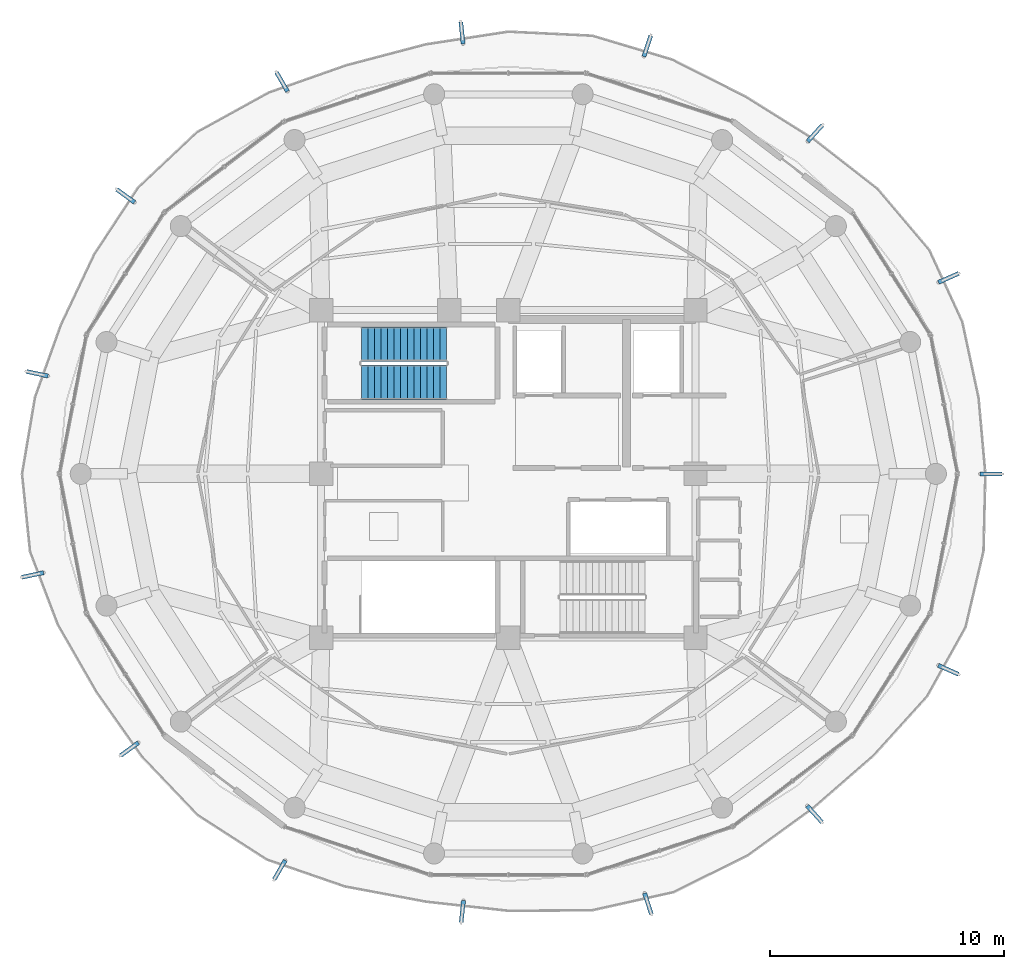
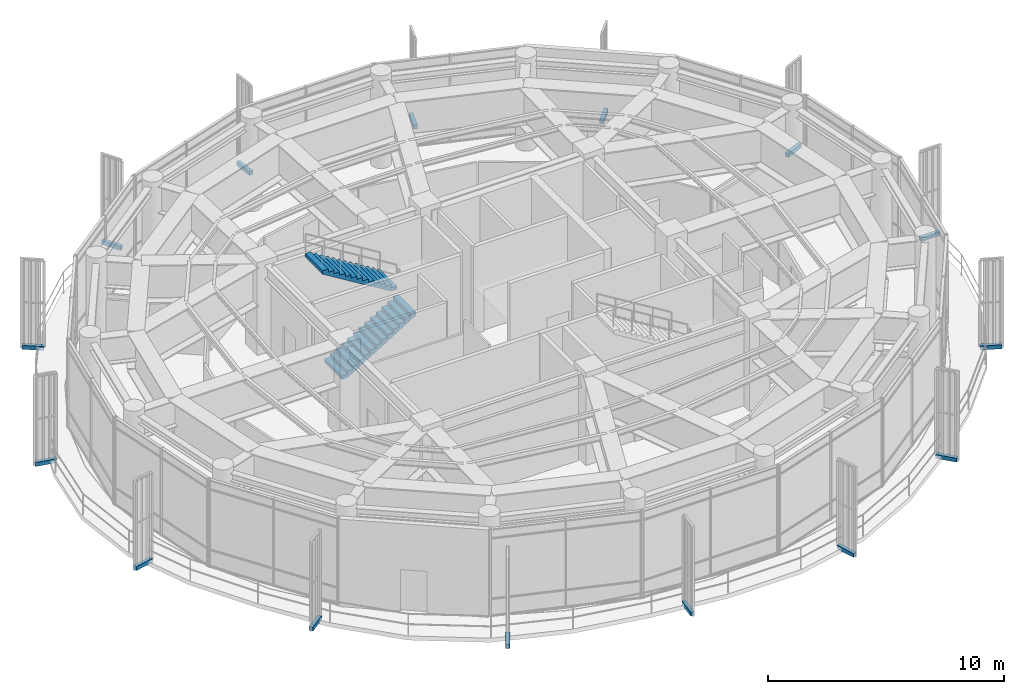
# One storey, part 20 of 23: 15 discrete accessories, 2 stair flights, 1 element without a shape of its own.
"""IFC4 building model written with IfcOpenShell, lengths in metres."""

from ifc_helpers import new_model, si_unit, direction, frame, origin, origin_2d, place, context, subcontext, project, spatial, polyline, rectangle, outline, extrude, source, transform, mapped, material, type_object, element, aggregate, save


model = new_model("IFC4")

# Units and contexts
model_context = context("Model", 3, precision=1e-05, world=origin(), true_north=direction((0.0, 1.0)))
body_context = subcontext(model_context, "Body", "Model", "MODEL_VIEW")
ifc_project = project(units=[si_unit("LENGTHUNIT", "METRE"), si_unit("AREAUNIT", "SQUARE_METRE"), si_unit("VOLUMEUNIT", "CUBIC_METRE"), si_unit("PLANEANGLEUNIT", "RADIAN"), si_unit("MASSUNIT", "GRAM", prefix="KILO")], contexts=[model_context])

# Site, building, storey
site_placement = place(None, origin())
site = spatial("IfcSite", under=ifc_project, at=site_placement, CompositionType="ELEMENT")
building_placement = place(site_placement, origin())
building = spatial("IfcBuilding", under=site, at=building_placement, Name="Kelanora Arch Commons", CompositionType="ELEMENT")
storey_placement = place(building_placement, frame((0.0, 0.0, 293.699951171875)))
storey = spatial("IfcBuildingStorey", under=building, at=storey_placement, Name="L75", CompositionType="ELEMENT", Elevation=293.699951171875)

# Stair, stair flights
ifc_material_1 = material(Name="Concrete C40/50", Category="concrete")
stair_type = type_object("IfcStairType", Name="STR-DL-480", PredefinedType="HALF_TURN_STAIR", material=ifc_material_1)
stair_placement = place(storey_placement, origin())
stair = element("IfcStair", 1, at=stair_placement, inside=storey, type_object=stair_type, Name="L75 ST-T1", PredefinedType="HALF_TURN_STAIR")
stair_flight_type = type_object("IfcStairFlightType", Name="FLT-DL-480", PredefinedType="STRAIGHT", material=ifc_material_1)
stair_flight_1_placement = place(storey_placement, frame((67.719970703125, 61.919921875, 0.0), z_axis=(0.0, 0.0, 1.0), x_axis=(1.0, 0.0, 0.0)))
stair_flight_1 = element("IfcStairFlight", 2, at=stair_flight_1_placement, type_object=stair_flight_type, Name="ST-T1 flight 1", NumberOfRisers=14, NumberOfTreads=13, PredefinedType="STRAIGHT", RiserHeight=0.171428571, TreadLength=0.28, context=body_context, shape_type="SweptSolid", body=[
    extrude(outline(polyline([(0.0, 0.0), (0.0, 0.17138671875), (0.280029296875, 0.17138671875), (0.280029296875, 0.3427734375), (0.56005859375, 0.3427734375), (0.56005859375, 0.514404296875), (0.840087890625, 0.514404296875), (0.840087890625, 0.685791015625), (1.1201171875, 0.685791015625), (1.1201171875, 0.857177734375), (1.39990234375, 0.857177734375), (1.39990234375, 1.028564453125), (1.679931640625, 1.028564453125), (1.679931640625, 1.199951171875), (1.9599609375, 1.199951171875), (1.9599609375, 1.371337890625), (2.239990234375, 1.371337890625), (2.239990234375, 1.54296875), (2.52001953125, 1.54296875), (2.52001953125, 1.71435546875), (2.800048828125, 1.71435546875), (2.800048828125, 1.8857421875), (3.080078125, 1.8857421875), (3.080078125, 2.05712890625), (3.360107421875, 2.05712890625), (3.360107421875, 2.228515625), (3.639892578125, 2.228515625), (3.639892578125, 2.39990234375), (3.639892578125, 2.052734375), (0.287109375, 0.0), (0.0, 0.0)])), frame((0.0, 0.739990234375, 0.0), z_axis=(0.0, -1.0, 0.0), x_axis=(1.0, 0.0, 0.0)), (0.0, 0.0, 1.0), 1.47998046875),
])
stair_flight_2_placement = place(storey_placement, frame((71.360107421875, 63.550048828125, 2.400146484375), z_axis=(0.0, 0.0, 1.0), x_axis=(-1.0, 0.0, 0.0)))
stair_flight_2 = element("IfcStairFlight", 3, at=stair_flight_2_placement, type_object=stair_flight_type, Name="ST-T1 flight 2", NumberOfRisers=14, NumberOfTreads=13, PredefinedType="STRAIGHT", RiserHeight=0.171428571, TreadLength=0.28, context=body_context, shape_type="SweptSolid", body=[
    extrude(outline(polyline([(0.0, 0.0), (0.0, 0.17138671875), (0.280029296875, 0.17138671875), (0.280029296875, 0.3427734375), (0.56005859375, 0.3427734375), (0.56005859375, 0.514404296875), (0.840087890625, 0.514404296875), (0.840087890625, 0.685791015625), (1.1201171875, 0.685791015625), (1.1201171875, 0.857177734375), (1.39990234375, 0.857177734375), (1.39990234375, 1.028564453125), (1.679931640625, 1.028564453125), (1.679931640625, 1.199951171875), (1.9599609375, 1.199951171875), (1.9599609375, 1.371337890625), (2.239990234375, 1.371337890625), (2.239990234375, 1.54296875), (2.52001953125, 1.54296875), (2.52001953125, 1.71435546875), (2.800048828125, 1.71435546875), (2.800048828125, 1.8857421875), (3.080078125, 1.8857421875), (3.080078125, 2.05712890625), (3.360107421875, 2.05712890625), (3.360107421875, 2.228515625), (3.639892578125, 2.228515625), (3.639892578125, 2.39990234375), (3.639892578125, 2.052734375), (0.287109375, 0.0), (0.0, 0.0)])), frame((0.0, 0.739990234375, 0.0), z_axis=(0.0, -1.0, 0.0), x_axis=(1.0, 0.0, 0.0)), (0.0, 0.0, 1.0), 1.47998046875),
])
aggregate(stair, [stair_flight_1, stair_flight_2])

# Discrete accessories
ifc_material_2 = material(Name="Stainless steel 316 marine fin bracket", Category="steel")
discrete_accessory_type = type_object("IfcDiscreteAccessoryType", Name="ACC-FIN-BRK", PredefinedType="BRACKET", material=ifc_material_2)
shared_shape = source(origin(), body_context, "Body", "SweptSolid", [
    extrude(rectangle(XDim=0.93994140625, YDim=0.179931640625, at=origin_2d()), origin(), (0.0, 0.0, 1.0), 0.199951171875),
])
for number, where, z_axis, x_axis, name in (
    (4, (94.640869140625, 58.0, -0.16015625), (0.0, 0.0, 1.0), (1.0, 0.0, 0.0), "Sweeping Fin Cantilever Spine Bracket L75-00"),
    (5, (92.816650390625, 66.377685546875, -0.16015625), (0.0, 0.0, 1.0), (0.913545457643, 0.406736643076, 0.0), "Sweeping Fin Cantilever Spine Bracket L75-01"),
    (6, (87.113037109375, 72.5634765625, -0.16015625), (0.0, 0.0, 1.0), (0.669130606359, 0.743144825477, 0.0), "Sweeping Fin Cantilever Spine Bracket L75-02"),
    (7, (79.942626953125, 76.28955078125, -0.16015625), (0.0, 0.0, 1.0), (0.309016994375, 0.951056516295, 0.0), "Sweeping Fin Cantilever Spine Bracket L75-03"),
    (8, (72.0185546875, 76.852783203125, -0.16015625), (0.0, 0.0, 1.0), (-0.104528463268, 0.994521895368, 0.0), "Sweeping Fin Cantilever Spine Bracket L75-04"),
    (9, (64.322998046875, 74.76123046875, -0.16015625), (0.0, 0.0, 1.0), (-0.5, 0.866025403784, 0.0), "Sweeping Fin Cantilever Spine Bracket L75-05"),
    (10, (57.640380859375, 69.885986328125, -0.16015625), (0.0, 0.0, 1.0), (-0.809016994375, 0.587785252292, 0.0), "Sweeping Fin Cantilever Spine Bracket L75-06"),
    (11, (53.86181640625, 62.280517578125, -0.16015625), (0.0, 0.0, 1.0), (-0.978147600734, 0.207911690818, 0.0), "Sweeping Fin Cantilever Spine Bracket L75-07"),
    (12, (53.670654296875, 53.678955078125, -0.16015625), (0.0, 0.0, 1.0), (-0.978147600734, -0.207911690818, 0.0), "Sweeping Fin Cantilever Spine Bracket L75-08"),
    (13, (57.806396484375, 46.234619140625, -0.16015625), (0.0, 0.0, 1.0), (-0.809016994375, -0.587785252292, 0.0), "Sweeping Fin Cantilever Spine Bracket L75-09"),
    (14, (64.224853515625, 41.06884765625, -0.16015625), (0.0, 0.0, 1.0), (-0.5, -0.866025403784, 0.0), "Sweeping Fin Cantilever Spine Bracket L75-10"),
    (15, (72.03369140625, 39.2919921875, -0.16015625), (0.0, 0.0, 1.0), (-0.104528463268, -0.994521895368, 0.0), "Sweeping Fin Cantilever Spine Bracket L75-11"),
    (16, (79.970703125, 39.6240234375, -0.16015625), (0.0, 0.0, 1.0), (0.309016994375, -0.951056516295, 0.0), "Sweeping Fin Cantilever Spine Bracket L75-12"),
    (17, (87.093017578125, 43.458740234375, -0.16015625), (0.0, 0.0, 1.0), (0.669130606359, -0.743144825477, 0.0), "Sweeping Fin Cantilever Spine Bracket L75-13"),
    (18, (92.8125, 49.6240234375, -0.16015625), (0.0, 0.0, 1.0), (0.913545457643, -0.406736643076, 0.0), "Sweeping Fin Cantilever Spine Bracket L75-14"),
):
    element("IfcDiscreteAccessory", number, at=place(storey_placement, frame(where, z_axis=z_axis, x_axis=x_axis)), inside=storey, type_object=discrete_accessory_type, Name=name, PredefinedType="BRACKET", context=body_context, shape_type="MappedRepresentation", body=[
        mapped(shared_shape, transform((0.0, 0.0, 0.0), scale=1.0)),
    ])

save(model, "model.ifc")
